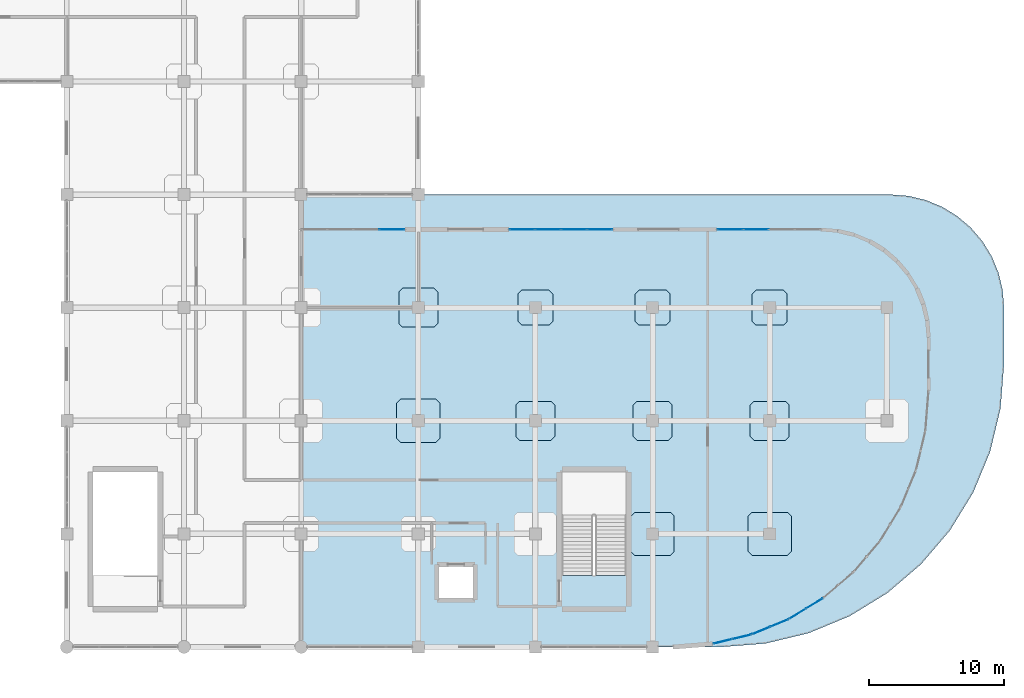
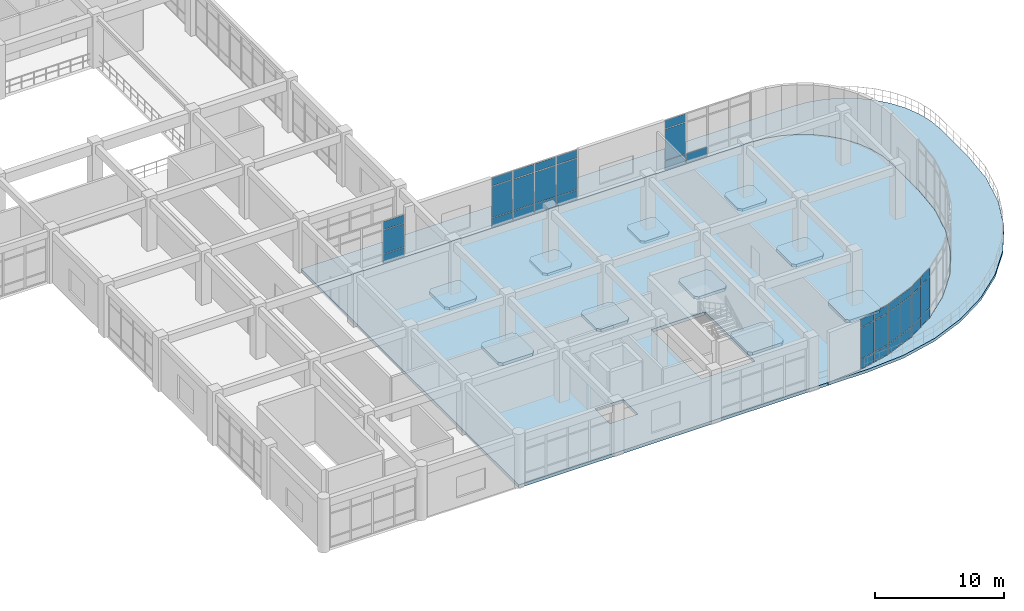
# One storey, part 94 of 120: 37 plates, 12 slabs, 6 elements without a shape of their own.
"""IFC4 building model written with IfcOpenShell, lengths in metres."""

from ifc_helpers import new_model, si_unit, derived_unit, direction, frame, origin, origin_2d, place, context, subcontext, project, spatial, polyline, rectangle, outline, extrude, material, layer, layer_set, type_object, element, aggregate, save


model = new_model("IFC4")

# Units and contexts
model_context = context("Model", 3, precision=1e-05, world=origin(), true_north=direction((0.0, 1.0)))
body_context = subcontext(model_context, "Body", "Model", "MODEL_VIEW")
ifc_project = project(units=[si_unit("LENGTHUNIT", "METRE"), si_unit("AREAUNIT", "SQUARE_METRE"), si_unit("VOLUMEUNIT", "CUBIC_METRE"), si_unit("PLANEANGLEUNIT", "RADIAN"), si_unit("MASSUNIT", "GRAM", prefix="KILO"), derived_unit("THERMALTRANSMITTANCEUNIT", [(si_unit("MASSUNIT", "GRAM", prefix="KILO"), 1), (si_unit("TIMEUNIT", "SECOND"), -3), (si_unit("THERMODYNAMICTEMPERATUREUNIT", "KELVIN"), -1)])], contexts=[model_context])

# Site, building, storey
site_placement = place(None, origin())
site = spatial("IfcSite", under=ifc_project, at=site_placement, CompositionType="ELEMENT")
building_placement = place(site_placement, origin())
building = spatial("IfcBuilding", under=site, at=building_placement, Name="Qinzheling Arcade Emporium", CompositionType="ELEMENT")
storey_placement = place(building_placement, frame((0.0, 0.0, 11.39990234375)))
storey = spatial("IfcBuildingStorey", under=building, at=storey_placement, Name="L03", CompositionType="ELEMENT", Elevation=11.39990234375)

# Slabs
ifc_material_1 = material(Name="Concrete C40", Category="concrete")
ifc_layer_1 = layer(ifc_material_1, 0.235107421875, Name="Concrete C40", Category="concrete")
ifc_layer_set_1 = layer_set([ifc_layer_1], Name="Concrete C40")
slab_type_1 = type_object("IfcSlabType", Name="Column Head Drop Panel 2600x2600x235 C40", PredefinedType="USERDEFINED", material=ifc_layer_set_1)
slab_1_placement = place(storey_placement, frame((0.0, 0.0, -0.52978515625)))
element("IfcSlab", 1, at=slab_1_placement, inside=storey, type_object=slab_type_1, Name="Column Drop Panel DP-L03-17-D", ObjectType="DROP_PANEL", PredefinedType="USERDEFINED", context=body_context, shape_type="SweptSolid", body=[
    extrude(outline(polyline([(138.179931640625, 23.89990234375), (140.219970703125, 23.89990234375), (140.5, 24.179931640625), (140.5, 26.219970703125), (140.219970703125, 26.5), (138.179931640625, 26.5), (137.89990234375, 26.219970703125), (137.89990234375, 24.179931640625), (138.179931640625, 23.89990234375)])), origin(), (0.0, 0.0, 1.0), 0.23486328125),
])
slab_2_placement = place(storey_placement, frame((0.0, 0.0, -0.52978515625)))
element("IfcSlab", 2, at=slab_2_placement, inside=storey, type_object=slab_type_1, Name="Column Drop Panel DP-L03-18-D", ObjectType="DROP_PANEL", PredefinedType="USERDEFINED", context=body_context, shape_type="SweptSolid", body=[
    extrude(outline(polyline([(146.8798828125, 23.89990234375), (148.919921875, 23.89990234375), (149.199951171875, 24.179931640625), (149.199951171875, 26.219970703125), (148.919921875, 26.5), (146.8798828125, 26.5), (146.60009765625, 26.219970703125), (146.60009765625, 24.179931640625), (146.8798828125, 23.89990234375)])), origin(), (0.0, 0.0, 1.0), 0.23486328125),
])
slab_3_placement = place(storey_placement, frame((0.0, 0.0, -0.52978515625)))
element("IfcSlab", 3, at=slab_3_placement, inside=storey, type_object=slab_type_1, Name="Column Drop Panel DP-L03-19-D", ObjectType="DROP_PANEL", PredefinedType="USERDEFINED", context=body_context, shape_type="SweptSolid", body=[
    extrude(outline(polyline([(155.580078125, 23.89990234375), (157.6201171875, 23.89990234375), (157.89990234375, 24.179931640625), (157.89990234375, 26.219970703125), (157.6201171875, 26.5), (155.580078125, 26.5), (155.300048828125, 26.219970703125), (155.300048828125, 24.179931640625), (155.580078125, 23.89990234375)])), origin(), (0.0, 0.0, 1.0), 0.23486328125),
])
ifc_layer_2 = layer(ifc_material_1, 0.27001953125, Name="Concrete C40", Category="concrete")
ifc_layer_set_2 = layer_set([ifc_layer_2], Name="Concrete C40")
slab_type_2 = type_object("IfcSlabType", Name="Column Head Drop Panel 2900x2900x270 C40", PredefinedType="USERDEFINED", material=ifc_layer_set_2)
slab_4_placement = place(storey_placement, frame((0.0, 0.0, -0.56494140625)))
element("IfcSlab", 4, at=slab_4_placement, inside=storey, type_object=slab_type_2, Name="Column Drop Panel DP-L03-16-D", ObjectType="DROP_PANEL", PredefinedType="USERDEFINED", context=body_context, shape_type="SweptSolid", body=[
    extrude(outline(polyline([(129.330078125, 23.75), (131.669921875, 23.75), (131.949951171875, 24.030029296875), (131.949951171875, 26.3701171875), (131.669921875, 26.64990234375), (129.330078125, 26.64990234375), (129.050048828125, 26.3701171875), (129.050048828125, 24.030029296875), (129.330078125, 23.75)])), origin(), (0.0, 0.0, 1.0), 0.27001953125),
])
slab_5_placement = place(storey_placement, frame((0.0, 0.0, -0.56494140625)))
element("IfcSlab", 5, at=slab_5_placement, inside=storey, type_object=slab_type_2, Name="Column Drop Panel DP-L03-17-C", ObjectType="DROP_PANEL", PredefinedType="USERDEFINED", context=body_context, shape_type="SweptSolid", body=[
    extrude(outline(polyline([(138.030029296875, 15.35009765625), (140.3701171875, 15.35009765625), (140.64990234375, 15.6298828125), (140.64990234375, 17.969970703125), (140.3701171875, 18.25), (138.030029296875, 18.25), (137.75, 17.969970703125), (137.75, 15.6298828125), (138.030029296875, 15.35009765625)])), origin(), (0.0, 0.0, 1.0), 0.27001953125),
])
slab_6_placement = place(storey_placement, frame((0.0, 0.0, -0.56494140625)))
element("IfcSlab", 6, at=slab_6_placement, inside=storey, type_object=slab_type_2, Name="Column Drop Panel DP-L03-18-C", ObjectType="DROP_PANEL", PredefinedType="USERDEFINED", context=body_context, shape_type="SweptSolid", body=[
    extrude(outline(polyline([(146.72998046875, 15.35009765625), (149.070068359375, 15.35009765625), (149.35009765625, 15.6298828125), (149.35009765625, 17.969970703125), (149.070068359375, 18.25), (146.72998046875, 18.25), (146.449951171875, 17.969970703125), (146.449951171875, 15.6298828125), (146.72998046875, 15.35009765625)])), origin(), (0.0, 0.0, 1.0), 0.27001953125),
])
slab_7_placement = place(storey_placement, frame((0.0, 0.0, -0.56494140625)))
element("IfcSlab", 7, at=slab_7_placement, inside=storey, type_object=slab_type_2, Name="Column Drop Panel DP-L03-19-C", ObjectType="DROP_PANEL", PredefinedType="USERDEFINED", context=body_context, shape_type="SweptSolid", body=[
    extrude(outline(polyline([(155.429931640625, 15.35009765625), (157.77001953125, 15.35009765625), (158.050048828125, 15.6298828125), (158.050048828125, 17.969970703125), (157.77001953125, 18.25), (155.429931640625, 18.25), (155.14990234375, 17.969970703125), (155.14990234375, 15.6298828125), (155.429931640625, 15.35009765625)])), origin(), (0.0, 0.0, 1.0), 0.27001953125),
])
ifc_layer_3 = layer(ifc_material_1, 0.300048828125, Name="Concrete C40", Category="concrete")
ifc_layer_set_3 = layer_set([ifc_layer_3], Name="Concrete C40")
slab_type_3 = type_object("IfcSlabType", Name="Column Head Drop Panel 3200x3200x300 C40", PredefinedType="USERDEFINED", material=ifc_layer_set_3)
slab_8_placement = place(storey_placement, frame((0.0, 0.0, -0.594970703125)))
element("IfcSlab", 8, at=slab_8_placement, inside=storey, type_object=slab_type_3, Name="Column Drop Panel DP-L03-16-C", ObjectType="DROP_PANEL", PredefinedType="USERDEFINED", context=body_context, shape_type="SweptSolid", body=[
    extrude(outline(polyline([(129.179931640625, 15.199951171875), (131.820068359375, 15.199951171875), (132.10009765625, 15.47998046875), (132.10009765625, 18.1201171875), (131.820068359375, 18.39990234375), (129.179931640625, 18.39990234375), (128.89990234375, 18.1201171875), (128.89990234375, 15.47998046875), (129.179931640625, 15.199951171875)])), origin(), (0.0, 0.0, 1.0), 0.300048828125),
])
slab_9_placement = place(storey_placement, frame((0.0, 0.0, -0.594970703125)))
element("IfcSlab", 9, at=slab_9_placement, inside=storey, type_object=slab_type_3, Name="Column Drop Panel DP-L03-18-B", ObjectType="DROP_PANEL", PredefinedType="USERDEFINED", context=body_context, shape_type="SweptSolid", body=[
    extrude(outline(polyline([(146.580078125, 6.800048828125), (149.219970703125, 6.800048828125), (149.5, 7.080078125), (149.5, 9.719970703125), (149.219970703125, 10.0), (146.580078125, 10.0), (146.300048828125, 9.719970703125), (146.300048828125, 7.080078125), (146.580078125, 6.800048828125)])), origin(), (0.0, 0.0, 1.0), 0.300048828125),
])
slab_10_placement = place(storey_placement, frame((0.0, 0.0, -0.594970703125)))
element("IfcSlab", 10, at=slab_10_placement, inside=storey, type_object=slab_type_3, Name="Column Drop Panel DP-L03-19-B", ObjectType="DROP_PANEL", PredefinedType="USERDEFINED", context=body_context, shape_type="SweptSolid", body=[
    extrude(outline(polyline([(155.280029296875, 6.800048828125), (157.919921875, 6.800048828125), (158.199951171875, 7.080078125), (158.199951171875, 9.719970703125), (157.919921875, 10.0), (155.280029296875, 10.0), (155.0, 9.719970703125), (155.0, 7.080078125), (155.280029296875, 6.800048828125)])), origin(), (0.0, 0.0, 1.0), 0.300048828125),
])
ifc_layer_4 = layer(ifc_material_1, 0.294921875, Name="Concrete C40", Category="concrete")
ifc_layer_set_4 = layer_set([ifc_layer_4], Name="Concrete C40")
slab_type_4 = type_object("IfcSlabType", Name="Food Hall Acoustic Flat Slab 295 C40", PredefinedType="FLOOR", material=ifc_layer_set_4)
slab_11_placement = place(storey_placement, frame((0.0, 0.0, -0.294921875)))
element("IfcSlab", 11, at=slab_11_placement, inside=storey, type_object=slab_type_4, Name="Floor Slab SLB-L03-V4", PredefinedType="FLOOR", context=body_context, shape_type="SweptSolid", body=[
    extrude(outline(polyline([(121.800048828125, 31.0), (121.800048828125, 0.0), (149.39990234375, 0.0), (152.3720703125, 0.23388671875), (155.27099609375, 0.929931640625), (158.02587890625, 2.071044921875), (160.568115234375, 3.62890625), (162.8349609375, 5.56494140625), (164.77099609375, 7.83203125), (166.3291015625, 10.3740234375), (167.469970703125, 13.12890625), (168.166015625, 16.028076171875), (168.39990234375, 19.0), (168.39990234375, 23.0), (168.302001953125, 24.2509765625), (168.008056640625, 25.471923828125), (167.528076171875, 26.632080078125), (166.8720703125, 27.701904296875), (166.056884765625, 28.656982421875), (165.10205078125, 29.471923828125), (164.031982421875, 30.1279296875), (162.8720703125, 30.60791015625), (161.65087890625, 30.902099609375), (160.39990234375, 31.0), (121.800048828125, 31.0)]), holes=[polyline([(141.155029296875, 5.324951171875), (141.155029296875, 13.0), (145.945068359375, 13.0), (145.945068359375, 5.324951171875), (141.155029296875, 5.324951171875)]), polyline([(134.550048828125, 3.64990234375), (132.050048828125, 3.64990234375), (132.050048828125, 5.949951171875), (134.550048828125, 5.949951171875), (134.550048828125, 3.64990234375)])]), origin(), (0.0, 0.0, 1.0), 0.294921875),
])

# Curtain wall, plates
ifc_material_2 = material(Name="Anodised aluminium and solar-control double glazing", Category="aluminium")
ifc_layer_5 = layer(ifc_material_2, 0.159912109375, Name="Anodised aluminium and solar-control double glazing", Category="aluminium")
ifc_layer_set_5 = layer_set([ifc_layer_5], Name="Anodised aluminium and solar-control double glazing")
curtain_wall_type_1 = type_object("IfcCurtainWallType", Name="Food Hall Loggia Curtain Wall", PredefinedType="NOTDEFINED", material=ifc_layer_set_5)
curtain_wall_1_placement = place(storey_placement, origin())
curtain_wall_1 = element("IfcCurtainWall", 12, at=curtain_wall_1_placement, inside=storey, type_object=curtain_wall_type_1, Name="Curtain Wall CW-L03-206", PredefinedType="NOTDEFINED")
ifc_material_3 = material(Name="Laminated solar-control double glazing", Category="glass")
ifc_layer_6 = layer(ifc_material_3, 0.02099609375, Name="Laminated solar-control double glazing", Category="glass")
ifc_layer_set_6 = layer_set([ifc_layer_6], Name="Laminated solar-control double glazing")
plate_type_1 = type_object("IfcPlateType", Name="Low-E Double Glazed Curtain Panel 21mm", PredefinedType="CURTAIN_PANEL", material=ifc_layer_set_6)
plate_1_placement = place(storey_placement, frame((138.221435546875, 31.0, 0.06005859375), z_axis=(0.0, 0.0, 1.0), x_axis=(1.0, 0.0, 0.0)))
plate_1 = element("IfcPlate", 13, at=plate_1_placement, type_object=plate_type_1, Name="CW04 panel 1.1", PredefinedType="CURTAIN_PANEL", context=body_context, shape_type="SweptSolid", body=[
    extrude(rectangle(XDim=1.839111328125, YDim=0.02099609375, at=origin_2d()), origin(), (0.0, 0.0, 1.0), 0.860107421875),
])
plate_2_placement = place(storey_placement, frame((138.221435546875, 31.0, 0.97998046875), z_axis=(0.0, 0.0, 1.0), x_axis=(1.0, 0.0, 0.0)))
plate_2 = element("IfcPlate", 14, at=plate_2_placement, type_object=plate_type_1, Name="CW04 panel 1.2", PredefinedType="CURTAIN_PANEL", context=body_context, shape_type="SweptSolid", body=[
    extrude(rectangle(XDim=1.839111328125, YDim=0.02099609375, at=origin_2d()), origin(), (0.0, 0.0, 1.0), 2.929931640625),
])
plate_3_placement = place(storey_placement, frame((138.221435546875, 31.0, 3.97021484375), z_axis=(0.0, 0.0, 1.0), x_axis=(1.0, 0.0, 0.0)))
plate_3 = element("IfcPlate", 15, at=plate_3_placement, type_object=plate_type_1, Name="CW04 panel 1.3", PredefinedType="CURTAIN_PANEL", context=body_context, shape_type="SweptSolid", body=[
    extrude(rectangle(XDim=1.839111328125, YDim=0.02099609375, at=origin_2d()), origin(), (0.0, 0.0, 1.0), 0.760009765625),
])
plate_4_placement = place(storey_placement, frame((140.135498046875, 31.0, 0.06005859375), z_axis=(0.0, 0.0, 1.0), x_axis=(1.0, 0.0, 0.0)))
plate_4 = element("IfcPlate", 16, at=plate_4_placement, type_object=plate_type_1, Name="CW04 panel 2.1", PredefinedType="CURTAIN_PANEL", context=body_context, shape_type="SweptSolid", body=[
    extrude(rectangle(XDim=1.868896484375, YDim=0.02099609375, at=origin_2d()), origin(), (0.0, 0.0, 1.0), 0.860107421875),
])
plate_5_placement = place(storey_placement, frame((140.135498046875, 31.0, 0.97998046875), z_axis=(0.0, 0.0, 1.0), x_axis=(1.0, 0.0, 0.0)))
plate_5 = element("IfcPlate", 17, at=plate_5_placement, type_object=plate_type_1, Name="CW04 panel 2.2", PredefinedType="CURTAIN_PANEL", context=body_context, shape_type="SweptSolid", body=[
    extrude(rectangle(XDim=1.868896484375, YDim=0.02099609375, at=origin_2d()), origin(), (0.0, 0.0, 1.0), 2.929931640625),
])
plate_6_placement = place(storey_placement, frame((140.135498046875, 31.0, 3.97021484375), z_axis=(0.0, 0.0, 1.0), x_axis=(1.0, 0.0, 0.0)))
plate_6 = element("IfcPlate", 18, at=plate_6_placement, type_object=plate_type_1, Name="CW04 panel 2.3", PredefinedType="CURTAIN_PANEL", context=body_context, shape_type="SweptSolid", body=[
    extrude(rectangle(XDim=1.868896484375, YDim=0.02099609375, at=origin_2d()), origin(), (0.0, 0.0, 1.0), 0.760009765625),
])
plate_7_placement = place(storey_placement, frame((142.064453125, 31.0, 0.06005859375), z_axis=(0.0, 0.0, 1.0), x_axis=(1.0, 0.0, 0.0)))
plate_7 = element("IfcPlate", 19, at=plate_7_placement, type_object=plate_type_1, Name="CW04 panel 3.1", PredefinedType="CURTAIN_PANEL", context=body_context, shape_type="SweptSolid", body=[
    extrude(rectangle(XDim=1.868896484375, YDim=0.02099609375, at=origin_2d()), origin(), (0.0, 0.0, 1.0), 0.860107421875),
])
plate_8_placement = place(storey_placement, frame((142.064453125, 31.0, 0.97998046875), z_axis=(0.0, 0.0, 1.0), x_axis=(1.0, 0.0, 0.0)))
plate_8 = element("IfcPlate", 20, at=plate_8_placement, type_object=plate_type_1, Name="CW04 panel 3.2", PredefinedType="CURTAIN_PANEL", context=body_context, shape_type="SweptSolid", body=[
    extrude(rectangle(XDim=1.868896484375, YDim=0.02099609375, at=origin_2d()), origin(), (0.0, 0.0, 1.0), 2.929931640625),
])
plate_9_placement = place(storey_placement, frame((142.064453125, 31.0, 3.97021484375), z_axis=(0.0, 0.0, 1.0), x_axis=(1.0, 0.0, 0.0)))
plate_9 = element("IfcPlate", 21, at=plate_9_placement, type_object=plate_type_1, Name="CW04 panel 3.3", PredefinedType="CURTAIN_PANEL", context=body_context, shape_type="SweptSolid", body=[
    extrude(rectangle(XDim=1.868896484375, YDim=0.02099609375, at=origin_2d()), origin(), (0.0, 0.0, 1.0), 0.760009765625),
])
plate_10_placement = place(storey_placement, frame((143.978515625, 31.0, 0.06005859375), z_axis=(0.0, 0.0, 1.0), x_axis=(1.0, 0.0, 0.0)))
plate_10 = element("IfcPlate", 22, at=plate_10_placement, type_object=plate_type_1, Name="CW04 panel 4.1", PredefinedType="CURTAIN_PANEL", context=body_context, shape_type="SweptSolid", body=[
    extrude(rectangle(XDim=1.839111328125, YDim=0.02099609375, at=origin_2d()), origin(), (0.0, 0.0, 1.0), 0.860107421875),
])
plate_11_placement = place(storey_placement, frame((143.978515625, 31.0, 0.97998046875), z_axis=(0.0, 0.0, 1.0), x_axis=(1.0, 0.0, 0.0)))
plate_11 = element("IfcPlate", 23, at=plate_11_placement, type_object=plate_type_1, Name="CW04 panel 4.2", PredefinedType="CURTAIN_PANEL", context=body_context, shape_type="SweptSolid", body=[
    extrude(rectangle(XDim=1.839111328125, YDim=0.02099609375, at=origin_2d()), origin(), (0.0, 0.0, 1.0), 2.929931640625),
])
plate_12_placement = place(storey_placement, frame((143.978515625, 31.0, 3.97021484375), z_axis=(0.0, 0.0, 1.0), x_axis=(1.0, 0.0, 0.0)))
plate_12 = element("IfcPlate", 24, at=plate_12_placement, type_object=plate_type_1, Name="CW04 panel 4.3", PredefinedType="CURTAIN_PANEL", context=body_context, shape_type="SweptSolid", body=[
    extrude(rectangle(XDim=1.839111328125, YDim=0.02099609375, at=origin_2d()), origin(), (0.0, 0.0, 1.0), 0.760009765625),
])
aggregate(curtain_wall_1, [plate_1, plate_2, plate_3, plate_4, plate_5, plate_6, plate_7, plate_8, plate_9, plate_10, plate_11, plate_12])

curtain_wall_2_placement = place(storey_placement, origin())
curtain_wall_2 = element("IfcCurtainWall", 25, at=curtain_wall_2_placement, inside=storey, type_object=curtain_wall_type_1, Name="Curtain Wall CW-L03-207", PredefinedType="NOTDEFINED")
ifc_layer_7 = layer(ifc_material_3, 0.02197265625, Name="Laminated solar-control double glazing", Category="glass")
ifc_layer_set_7 = layer_set([ifc_layer_7], Name="Laminated solar-control double glazing")
plate_type_2 = type_object("IfcPlateType", Name="Low-E Double Glazed Curtain Panel 22mm", PredefinedType="CURTAIN_PANEL", material=ifc_layer_set_7)
plate_13_placement = place(storey_placement, frame((153.661865234375, 31.0, 0.06005859375), z_axis=(0.0, 0.0, 1.0), x_axis=(1.0, 0.0, 0.0)))
plate_13 = element("IfcPlate", 26, at=plate_13_placement, type_object=plate_type_2, Name="CW04 panel 1.1", PredefinedType="CURTAIN_PANEL", context=body_context, shape_type="SweptSolid", body=[
    extrude(rectangle(XDim=1.839599609375, YDim=0.02197265625, at=origin_2d()), origin(), (0.0, 0.0, 1.0), 0.860107421875),
])
plate_14_placement = place(storey_placement, frame((153.661865234375, 31.0, 0.97998046875), z_axis=(0.0, 0.0, 1.0), x_axis=(1.0, 0.0, 0.0)))
plate_14 = element("IfcPlate", 27, at=plate_14_placement, type_object=plate_type_2, Name="CW04 panel 1.2", PredefinedType="CURTAIN_PANEL", context=body_context, shape_type="SweptSolid", body=[
    extrude(rectangle(XDim=1.839599609375, YDim=0.02197265625, at=origin_2d()), origin(), (0.0, 0.0, 1.0), 2.929931640625),
])
plate_15_placement = place(storey_placement, frame((153.661865234375, 31.0, 3.97021484375), z_axis=(0.0, 0.0, 1.0), x_axis=(1.0, 0.0, 0.0)))
plate_15 = element("IfcPlate", 28, at=plate_15_placement, type_object=plate_type_2, Name="CW04 panel 1.3", PredefinedType="CURTAIN_PANEL", context=body_context, shape_type="SweptSolid", body=[
    extrude(rectangle(XDim=1.839599609375, YDim=0.02197265625, at=origin_2d()), origin(), (0.0, 0.0, 1.0), 0.760009765625),
])
plate_16_placement = place(storey_placement, frame((155.576171875, 31.0, 0.06005859375), z_axis=(0.0, 0.0, 1.0), x_axis=(1.0, 0.0, 0.0)))
plate_16 = element("IfcPlate", 29, at=plate_16_placement, type_object=plate_type_2, Name="CW04 panel 2.1", PredefinedType="CURTAIN_PANEL", context=body_context, shape_type="SweptSolid", body=[
    extrude(rectangle(XDim=1.869384765625, YDim=0.02197265625, at=origin_2d()), origin(), (0.0, 0.0, 1.0), 0.860107421875),
])
aggregate(curtain_wall_2, [plate_13, plate_14, plate_15, plate_16])

ifc_layer_8 = layer(ifc_material_2, 0.159912109375, Name="Anodised aluminium and solar-control double glazing", Category="aluminium")
ifc_layer_set_8 = layer_set([ifc_layer_8], Name="Anodised aluminium and solar-control double glazing")
curtain_wall_type_2 = type_object("IfcCurtainWallType", Name="Curved Ribbon Sales Curtain Wall", PredefinedType="NOTDEFINED", material=ifc_layer_set_8)
curtain_wall_3_placement = place(storey_placement, origin())
curtain_wall_3 = element("IfcCurtainWall", 30, at=curtain_wall_3_placement, inside=storey, type_object=curtain_wall_type_2, Name="Curtain Wall CW-L03-134", PredefinedType="NOTDEFINED")
ifc_layer_9 = layer(ifc_material_3, 0.030029296875, Name="Laminated solar-control double glazing", Category="glass")
ifc_layer_set_9 = layer_set([ifc_layer_9], Name="Laminated solar-control double glazing")
plate_type_3 = type_object("IfcPlateType", Name="Low-E Double Glazed Curtain Panel 30mm", PredefinedType="CURTAIN_PANEL", material=ifc_layer_set_9)
plate_17_placement = place(storey_placement, frame((159.919677734375, 3.231689453125, 0.06005859375), z_axis=(0.0, 0.0, 1.0), x_axis=(-0.852601252413, -0.522562057926, 0.0)))
plate_17 = element("IfcPlate", 31, at=plate_17_placement, type_object=plate_type_3, Name="CW02 panel 1.1", PredefinedType="CURTAIN_PANEL", context=body_context, shape_type="SweptSolid", body=[
    extrude(rectangle(XDim=1.400634765625, YDim=0.030029296875, at=origin_2d()), origin(), (0.0, 0.0, 1.0), 0.860107421875),
])
plate_18_placement = place(storey_placement, frame((159.919677734375, 3.231689453125, 0.97998046875), z_axis=(0.0, 0.0, 1.0), x_axis=(-0.852601252413, -0.522562057926, 0.0)))
plate_18 = element("IfcPlate", 32, at=plate_18_placement, type_object=plate_type_3, Name="CW02 panel 1.2", PredefinedType="CURTAIN_PANEL", context=body_context, shape_type="SweptSolid", body=[
    extrude(rectangle(XDim=1.400634765625, YDim=0.030029296875, at=origin_2d()), origin(), (0.0, 0.0, 1.0), 2.929931640625),
])
plate_19_placement = place(storey_placement, frame((159.919677734375, 3.231689453125, 3.97021484375), z_axis=(0.0, 0.0, 1.0), x_axis=(-0.852601252413, -0.522562057926, 0.0)))
plate_19 = element("IfcPlate", 33, at=plate_19_placement, type_object=plate_type_3, Name="CW02 panel 1.3", PredefinedType="CURTAIN_PANEL", context=body_context, shape_type="SweptSolid", body=[
    extrude(rectangle(XDim=1.400634765625, YDim=0.030029296875, at=origin_2d()), origin(), (0.0, 0.0, 1.0), 0.760009765625),
])
plate_20_placement = place(storey_placement, frame((158.67431640625, 2.46826171875, 0.06005859375), z_axis=(0.0, 0.0, 1.0), x_axis=(-0.852601252413, -0.522562057926, 0.0)))
plate_20 = element("IfcPlate", 34, at=plate_20_placement, type_object=plate_type_3, Name="CW02 panel 2.1", PredefinedType="CURTAIN_PANEL", context=body_context, shape_type="SweptSolid", body=[
    extrude(rectangle(XDim=1.400634765625, YDim=0.030029296875, at=origin_2d()), origin(), (0.0, 0.0, 1.0), 0.860107421875),
])
plate_21_placement = place(storey_placement, frame((158.67431640625, 2.46826171875, 0.97998046875), z_axis=(0.0, 0.0, 1.0), x_axis=(-0.852601252413, -0.522562057926, 0.0)))
plate_21 = element("IfcPlate", 35, at=plate_21_placement, type_object=plate_type_3, Name="CW02 panel 2.2", PredefinedType="CURTAIN_PANEL", context=body_context, shape_type="SweptSolid", body=[
    extrude(rectangle(XDim=1.400634765625, YDim=0.030029296875, at=origin_2d()), origin(), (0.0, 0.0, 1.0), 2.929931640625),
])
plate_22_placement = place(storey_placement, frame((158.67431640625, 2.46826171875, 3.97021484375), z_axis=(0.0, 0.0, 1.0), x_axis=(-0.852601252413, -0.522562057926, 0.0)))
plate_22 = element("IfcPlate", 36, at=plate_22_placement, type_object=plate_type_3, Name="CW02 panel 2.3", PredefinedType="CURTAIN_PANEL", context=body_context, shape_type="SweptSolid", body=[
    extrude(rectangle(XDim=1.400634765625, YDim=0.030029296875, at=origin_2d()), origin(), (0.0, 0.0, 1.0), 0.760009765625),
])
aggregate(curtain_wall_3, [plate_17, plate_18, plate_19, plate_20, plate_21, plate_22])

curtain_wall_4_placement = place(storey_placement, origin())
curtain_wall_4 = element("IfcCurtainWall", 37, at=curtain_wall_4_placement, inside=storey, type_object=curtain_wall_type_2, Name="Curtain Wall CW-L03-135", PredefinedType="NOTDEFINED")
ifc_layer_10 = layer(ifc_material_3, 0.031005859375, Name="Laminated solar-control double glazing", Category="glass")
ifc_layer_set_10 = layer_set([ifc_layer_10], Name="Laminated solar-control double glazing")
plate_type_4 = type_object("IfcPlateType", Name="Low-E Double Glazed Curtain Panel 31mm", PredefinedType="CURTAIN_PANEL", material=ifc_layer_set_10)
plate_23_placement = place(storey_placement, frame((157.323486328125, 1.780029296875, 0.06005859375), z_axis=(0.0, 0.0, 1.0), x_axis=(-0.923898307913, -0.382638101391, 0.0)))
plate_23 = element("IfcPlate", 38, at=plate_23_placement, type_object=plate_type_4, Name="CW02 panel 1.1", PredefinedType="CURTAIN_PANEL", context=body_context, shape_type="SweptSolid", body=[
    extrude(rectangle(XDim=1.40087890625, YDim=0.031005859375, at=origin_2d()), origin(), (0.0, 0.0, 1.0), 0.860107421875),
])
plate_24_placement = place(storey_placement, frame((157.323486328125, 1.780029296875, 0.97998046875), z_axis=(0.0, 0.0, 1.0), x_axis=(-0.923898307913, -0.382638101391, 0.0)))
plate_24 = element("IfcPlate", 39, at=plate_24_placement, type_object=plate_type_4, Name="CW02 panel 1.2", PredefinedType="CURTAIN_PANEL", context=body_context, shape_type="SweptSolid", body=[
    extrude(rectangle(XDim=1.40087890625, YDim=0.031005859375, at=origin_2d()), origin(), (0.0, 0.0, 1.0), 2.929931640625),
])
plate_25_placement = place(storey_placement, frame((157.323486328125, 1.780029296875, 3.97021484375), z_axis=(0.0, 0.0, 1.0), x_axis=(-0.923898307913, -0.382638101391, 0.0)))
plate_25 = element("IfcPlate", 40, at=plate_25_placement, type_object=plate_type_4, Name="CW02 panel 1.3", PredefinedType="CURTAIN_PANEL", context=body_context, shape_type="SweptSolid", body=[
    extrude(rectangle(XDim=1.40087890625, YDim=0.031005859375, at=origin_2d()), origin(), (0.0, 0.0, 1.0), 0.760009765625),
])
plate_26_placement = place(storey_placement, frame((155.9736328125, 1.220947265625, 0.06005859375), z_axis=(0.0, 0.0, 1.0), x_axis=(-0.923898307913, -0.382638101391, 0.0)))
plate_26 = element("IfcPlate", 41, at=plate_26_placement, type_object=plate_type_4, Name="CW02 panel 2.1", PredefinedType="CURTAIN_PANEL", context=body_context, shape_type="SweptSolid", body=[
    extrude(rectangle(XDim=1.40087890625, YDim=0.031005859375, at=origin_2d()), origin(), (0.0, 0.0, 1.0), 0.860107421875),
])
plate_27_placement = place(storey_placement, frame((155.9736328125, 1.220947265625, 0.97998046875), z_axis=(0.0, 0.0, 1.0), x_axis=(-0.923898307913, -0.382638101391, 0.0)))
plate_27 = element("IfcPlate", 42, at=plate_27_placement, type_object=plate_type_4, Name="CW02 panel 2.2", PredefinedType="CURTAIN_PANEL", context=body_context, shape_type="SweptSolid", body=[
    extrude(rectangle(XDim=1.40087890625, YDim=0.031005859375, at=origin_2d()), origin(), (0.0, 0.0, 1.0), 2.929931640625),
])
plate_28_placement = place(storey_placement, frame((155.9736328125, 1.220947265625, 3.97021484375), z_axis=(0.0, 0.0, 1.0), x_axis=(-0.923898307913, -0.382638101391, 0.0)))
plate_28 = element("IfcPlate", 43, at=plate_28_placement, type_object=plate_type_4, Name="CW02 panel 2.3", PredefinedType="CURTAIN_PANEL", context=body_context, shape_type="SweptSolid", body=[
    extrude(rectangle(XDim=1.40087890625, YDim=0.031005859375, at=origin_2d()), origin(), (0.0, 0.0, 1.0), 0.760009765625),
])
aggregate(curtain_wall_4, [plate_23, plate_24, plate_25, plate_26, plate_27, plate_28])

curtain_wall_5_placement = place(storey_placement, origin())
curtain_wall_5 = element("IfcCurtainWall", 44, at=curtain_wall_5_placement, inside=storey, type_object=curtain_wall_type_2, Name="Curtain Wall CW-L03-136", PredefinedType="NOTDEFINED")
ifc_layer_11 = layer(ifc_material_3, 0.031982421875, Name="Laminated solar-control double glazing", Category="glass")
ifc_layer_set_11 = layer_set([ifc_layer_11], Name="Laminated solar-control double glazing")
plate_type_5 = type_object("IfcPlateType", Name="Low-E Double Glazed Curtain Panel 32mm", PredefinedType="CURTAIN_PANEL", material=ifc_layer_set_11)
plate_29_placement = place(storey_placement, frame((154.53173828125, 0.75244140625, 0.06005859375), z_axis=(0.0, 0.0, 1.0), x_axis=(-0.972369031298, -0.233449067193, 0.0)))
plate_29 = element("IfcPlate", 45, at=plate_29_placement, type_object=plate_type_5, Name="CW02 panel 1.1", PredefinedType="CURTAIN_PANEL", context=body_context, shape_type="SweptSolid", body=[
    extrude(rectangle(XDim=1.400634765625, YDim=0.031982421875, at=origin_2d()), origin(), (0.0, 0.0, 1.0), 0.860107421875),
])
plate_30_placement = place(storey_placement, frame((154.53173828125, 0.75244140625, 0.97998046875), z_axis=(0.0, 0.0, 1.0), x_axis=(-0.972369031298, -0.233449067193, 0.0)))
plate_30 = element("IfcPlate", 46, at=plate_30_placement, type_object=plate_type_5, Name="CW02 panel 1.2", PredefinedType="CURTAIN_PANEL", context=body_context, shape_type="SweptSolid", body=[
    extrude(rectangle(XDim=1.400634765625, YDim=0.031982421875, at=origin_2d()), origin(), (0.0, 0.0, 1.0), 2.929931640625),
])
plate_31_placement = place(storey_placement, frame((154.53173828125, 0.75244140625, 3.97021484375), z_axis=(0.0, 0.0, 1.0), x_axis=(-0.972369031298, -0.233449067193, 0.0)))
plate_31 = element("IfcPlate", 47, at=plate_31_placement, type_object=plate_type_5, Name="CW02 panel 1.3", PredefinedType="CURTAIN_PANEL", context=body_context, shape_type="SweptSolid", body=[
    extrude(rectangle(XDim=1.400634765625, YDim=0.031982421875, at=origin_2d()), origin(), (0.0, 0.0, 1.0), 0.760009765625),
])
plate_32_placement = place(storey_placement, frame((153.111328125, 0.41162109375, 0.06005859375), z_axis=(0.0, 0.0, 1.0), x_axis=(-0.972369031298, -0.233449067193, 0.0)))
plate_32 = element("IfcPlate", 48, at=plate_32_placement, type_object=plate_type_5, Name="CW02 panel 2.1", PredefinedType="CURTAIN_PANEL", context=body_context, shape_type="SweptSolid", body=[
    extrude(rectangle(XDim=1.400634765625, YDim=0.031982421875, at=origin_2d()), origin(), (0.0, 0.0, 1.0), 0.860107421875),
])
plate_33_placement = place(storey_placement, frame((153.111328125, 0.41162109375, 0.97998046875), z_axis=(0.0, 0.0, 1.0), x_axis=(-0.972369031298, -0.233449067193, 0.0)))
plate_33 = element("IfcPlate", 49, at=plate_33_placement, type_object=plate_type_5, Name="CW02 panel 2.2", PredefinedType="CURTAIN_PANEL", context=body_context, shape_type="SweptSolid", body=[
    extrude(rectangle(XDim=1.400634765625, YDim=0.031982421875, at=origin_2d()), origin(), (0.0, 0.0, 1.0), 2.929931640625),
])
plate_34_placement = place(storey_placement, frame((153.111328125, 0.41162109375, 3.97021484375), z_axis=(0.0, 0.0, 1.0), x_axis=(-0.972369031298, -0.233449067193, 0.0)))
plate_34 = element("IfcPlate", 50, at=plate_34_placement, type_object=plate_type_5, Name="CW02 panel 2.3", PredefinedType="CURTAIN_PANEL", context=body_context, shape_type="SweptSolid", body=[
    extrude(rectangle(XDim=1.400634765625, YDim=0.031982421875, at=origin_2d()), origin(), (0.0, 0.0, 1.0), 0.760009765625),
])
aggregate(curtain_wall_5, [plate_29, plate_30, plate_31, plate_32, plate_33, plate_34])

curtain_wall_6_placement = place(storey_placement, origin())
curtain_wall_6 = element("IfcCurtainWall", 51, at=curtain_wall_6_placement, inside=storey, type_object=curtain_wall_type_1, Name="Curtain Wall CW-L03-205", PredefinedType="NOTDEFINED")
ifc_layer_12 = layer(ifc_material_3, 0.0419921875, Name="Laminated solar-control double glazing", Category="glass")
ifc_layer_set_12 = layer_set([ifc_layer_12], Name="Laminated solar-control double glazing")
plate_type_6 = type_object("IfcPlateType", Name="Low-E Double Glazed Curtain Panel 42mm", PredefinedType="CURTAIN_PANEL", material=ifc_layer_set_12)
plate_35_placement = place(storey_placement, frame((128.538330078125, 31.0, 0.06005859375), z_axis=(0.0, 0.0, 1.0), x_axis=(1.0, 0.0, 0.0)))
plate_35 = element("IfcPlate", 52, at=plate_35_placement, type_object=plate_type_6, Name="CW04 panel 4.1", PredefinedType="CURTAIN_PANEL", context=body_context, shape_type="SweptSolid", body=[
    extrude(rectangle(XDim=1.839599609375, YDim=0.0419921875, at=origin_2d()), origin(), (0.0, 0.0, 1.0), 0.860107421875),
])
plate_36_placement = place(storey_placement, frame((128.538330078125, 31.0, 0.97998046875), z_axis=(0.0, 0.0, 1.0), x_axis=(1.0, 0.0, 0.0)))
plate_36 = element("IfcPlate", 53, at=plate_36_placement, type_object=plate_type_6, Name="CW04 panel 4.2", PredefinedType="CURTAIN_PANEL", context=body_context, shape_type="SweptSolid", body=[
    extrude(rectangle(XDim=1.839599609375, YDim=0.0419921875, at=origin_2d()), origin(), (0.0, 0.0, 1.0), 2.195068359375),
])
plate_37_placement = place(storey_placement, frame((128.538330078125, 31.0, 3.23486328125), z_axis=(0.0, 0.0, 1.0), x_axis=(1.0, 0.0, 0.0)))
plate_37 = element("IfcPlate", 54, at=plate_37_placement, type_object=plate_type_6, Name="CW04 panel 4.3", PredefinedType="CURTAIN_PANEL", context=body_context, shape_type="SweptSolid", body=[
    extrude(rectangle(XDim=1.839599609375, YDim=0.0419921875, at=origin_2d()), origin(), (0.0, 0.0, 1.0), 0.760009765625),
])
aggregate(curtain_wall_6, [plate_35, plate_36, plate_37])

# Slab
ifc_layer_13 = layer(ifc_material_1, 0.27490234375, Name="Concrete C40", Category="concrete")
ifc_layer_set_13 = layer_set([ifc_layer_13], Name="Concrete C40")
slab_type_5 = type_object("IfcSlabType", Name="Planted Court Terrace Slab 275 C40", PredefinedType="FLOOR", material=ifc_layer_set_13)
slab_12_placement = place(storey_placement, frame((0.0, 0.0, -0.27490234375)))
element("IfcSlab", 55, at=slab_12_placement, inside=storey, type_object=slab_type_5, Name="Outdoor Terrace SLB-TR-V4-L03", PredefinedType="FLOOR", context=body_context, shape_type="SweptSolid", body=[
    extrude(outline(polyline([(121.800048828125, 33.60009765625), (121.800048828125, 31.0), (160.39990234375, 31.0), (161.65087890625, 30.902099609375), (162.8720703125, 30.60791015625), (164.031982421875, 30.1279296875), (165.10205078125, 29.471923828125), (166.056884765625, 28.656982421875), (166.8720703125, 27.701904296875), (167.528076171875, 26.632080078125), (168.008056640625, 25.471923828125), (168.302001953125, 24.2509765625), (168.39990234375, 23.0), (168.39990234375, 19.0), (168.166015625, 16.028076171875), (167.469970703125, 13.12890625), (166.3291015625, 10.3740234375), (164.77099609375, 7.83203125), (162.8349609375, 5.56494140625), (160.568115234375, 3.62890625), (158.02587890625, 2.071044921875), (155.27099609375, 0.929931640625), (152.3720703125, 0.23388671875), (149.39990234375, 0.0), (153.0, 0.0), (156.284912109375, 0.259033203125), (159.489013671875, 1.028076171875), (162.533935546875, 2.2890625), (165.343017578125, 4.010986328125), (167.84912109375, 6.15087890625), (169.989013671875, 8.656982421875), (171.7109375, 11.466064453125), (172.971923828125, 14.510986328125), (173.740966796875, 17.715087890625), (174.0, 21.0), (174.0, 25.199951171875), (173.89697265625, 26.513916015625), (173.589111328125, 27.7958984375), (173.083984375, 29.013916015625), (172.39599609375, 30.136962890625), (171.5400390625, 31.139892578125), (170.537109375, 31.99609375), (169.4140625, 32.68408203125), (168.196044921875, 33.18896484375), (166.9140625, 33.4970703125), (165.60009765625, 33.60009765625), (121.800048828125, 33.60009765625)])), origin(), (0.0, 0.0, 1.0), 0.27490234375),
])

save(model, "model.ifc")
